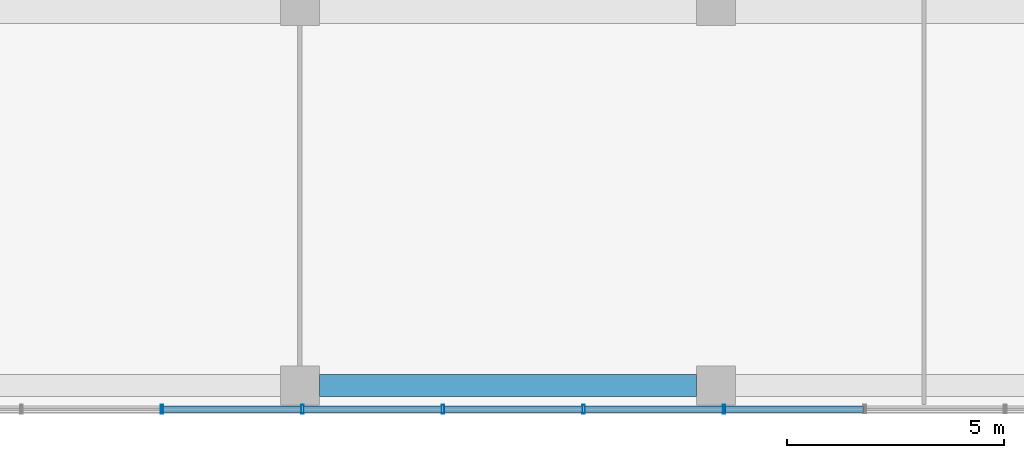
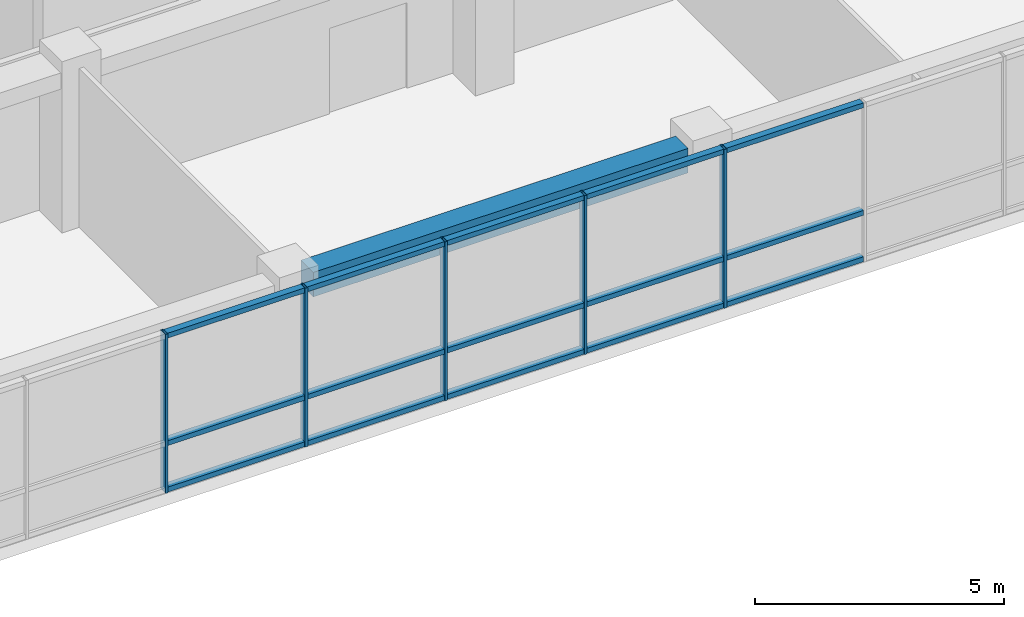
# One storey, part 4 of 38: 20 members, 1 beam, 1 element without a shape of its own.
"""IFC4 building model written with IfcOpenShell, lengths in metres."""

import ifcopenshell
import ifcopenshell.guid

model = None  # the IFC model being written
_history = None  # IfcOwnerHistory: only IFC2X3 demands one
_inside = {}  # id of a spatial element -> (the spatial element, [elements in it])
_under = {}  # id of a project, library or spatial element -> (it, [spatial elements below it])
_declared = {}  # id of a project -> (the project, [libraries it declares])
_typed = {}  # id of a type object -> (the type object, [elements of that type])
_made_of = {}  # id of a material, layer set ... -> (it, [elements and type objects made of it])


def new_model(schema):
    """Start an empty IFC model of exactly this schema.

    Asked for "IFC4X3", IfcOpenShell would pick the latest addendum, in which some entities
    have other attributes; the version numbers below select the first issue.
    IFC2X3 requires an IfcOwnerHistory on every rooted entity: one is made here for all.
    """
    global model, _history
    if schema == "IFC4X3":
        model = ifcopenshell.file(schema_version=(4, 3, 0, 0))
    else:
        model = ifcopenshell.file(schema=schema)
    _inside.clear()
    _under.clear()
    _declared.clear()
    _typed.clear()
    _made_of.clear()
    _history = None
    if model.schema == "IFC2X3":
        org = make("IfcOrganization", Name="unknown")
        user = make(
            "IfcPersonAndOrganization",
            ThePerson=make("IfcPerson", FamilyName="unknown"),
            TheOrganization=org,
        )
        app = make(
            "IfcApplication",
            ApplicationDeveloper=org,
            Version="unknown",
            ApplicationFullName="unknown",
            ApplicationIdentifier="unknown",
        )
        _history = make(
            "IfcOwnerHistory",
            OwningUser=user,
            OwningApplication=app,
            ChangeAction="ADDED",
            CreationDate=0,
        )
    return model


def make(cls, **values):
    """One entity of the class cls with the attributes given. An attribute that is None is left unset."""
    return model.create_entity(
        cls, **{name: value for name, value in values.items() if value is not None}
    )


def rooted(cls, **values):
    """An entity with a GlobalId (a new one), such as an element, a storey or a relation."""
    return make(cls, GlobalId=ifcopenshell.guid.new(), OwnerHistory=_history, **values)


def si_unit(unit_type, name, prefix=None):
    """IfcSIUnit, for example si_unit("LENGTHUNIT", "METRE", prefix="MILLI")."""
    return make("IfcSIUnit", UnitType=unit_type, Prefix=prefix, Name=name)


def assignment(units):
    """IfcUnitAssignment: the units of a project."""
    return None if units is None else make("IfcUnitAssignment", Units=units)


def point(xyz):
    """IfcCartesianPoint."""
    return None if xyz is None else make("IfcCartesianPoint", Coordinates=xyz)


def direction(xyz):
    """IfcDirection."""
    return None if xyz is None else make("IfcDirection", DirectionRatios=xyz)


def frame(location, z_axis=None, x_axis=None):
    """IfcAxis2Placement3D, a coordinate frame: its origin and axes. An axis left out is left unset."""
    return make(
        "IfcAxis2Placement3D",
        Location=point(location),
        Axis=direction(z_axis),
        RefDirection=direction(x_axis),
    )


def frame_2d(location, x_axis=None):
    """IfcAxis2Placement2D, a coordinate frame in the plane: its origin and x axis."""
    return make(
        "IfcAxis2Placement2D", Location=point(location), RefDirection=direction(x_axis)
    )


def origin():
    """The frame at (0, 0, 0) with its axes left unset."""
    return frame((0.0, 0.0, 0.0))


def origin_2d():
    """The frame at (0, 0) in the plane with its x axis left unset."""
    return frame_2d((0.0, 0.0))


def place(relative_to, where):
    """IfcLocalPlacement: puts the frame where relative to a parent placement (None: the world)."""
    return make(
        "IfcLocalPlacement", PlacementRelTo=relative_to, RelativePlacement=where
    )


def context(
    kind, dimensions, precision=None, world=None, true_north=None, identifier=None
):
    """IfcGeometricRepresentationContext, for example the 3D "Model" context."""
    return make(
        "IfcGeometricRepresentationContext",
        ContextIdentifier=identifier,
        ContextType=kind,
        CoordinateSpaceDimension=dimensions,
        Precision=precision,
        WorldCoordinateSystem=world,
        TrueNorth=true_north,
    )


def subcontext(parent, identifier, kind, view, scale=None):
    """IfcGeometricRepresentationSubContext, for example "Body" below "Model"."""
    return make(
        "IfcGeometricRepresentationSubContext",
        ContextIdentifier=identifier,
        ContextType=kind,
        ParentContext=parent,
        TargetScale=scale,
        TargetView=view,
    )


def project(units=None, contexts=None):
    """IfcProject with its units and contexts."""
    return rooted(
        "IfcProject",
        Name="project",
        RepresentationContexts=contexts,
        UnitsInContext=assignment(units),
    )


def spatial(cls, under=None, at=None, **own):
    """A site, building, storey or space (cls), placed at a placement, below another one or the project."""
    s = rooted(cls, ObjectPlacement=at, **own)
    if under is not None:
        _under.setdefault(under.id(), (under, []))[1].append(s)
    return s


def profile(cls, at=None, kind="AREA", **sizes):
    """A parametric profile (cls). Its sizes go by their IFC names, for example OverallWidth=200.0."""
    return make(cls, ProfileType=kind, Position=at, **sizes)


def rectangle(**sizes):
    """IfcRectangleProfileDef."""
    return profile("IfcRectangleProfileDef", **sizes)


def hollow_rectangle(**sizes):
    """IfcRectangleHollowProfileDef."""
    return profile("IfcRectangleHollowProfileDef", **sizes)


def extrude(swept, where, along, depth):
    """IfcExtrudedAreaSolid: the profile swept, set in the frame where, extruded along a direction by depth."""
    return make(
        "IfcExtrudedAreaSolid",
        SweptArea=swept,
        Position=where,
        ExtrudedDirection=direction(along),
        Depth=depth,
    )


def shape(context_of_items, identifier, shape_type, items):
    """IfcShapeRepresentation: the items that make up one representation, for example the "Body"."""
    return make(
        "IfcShapeRepresentation",
        ContextOfItems=context_of_items,
        RepresentationIdentifier=identifier,
        RepresentationType=shape_type,
        Items=items,
    )


def material(Name=None, Category=None):
    """IfcMaterial."""
    return make("IfcMaterial", Name=Name, Category=Category)


def layer(
    of_material, thickness, ventilated=None, Name=None, Category=None, Priority=None
):
    """IfcMaterialLayer: one layer of a wall or slab, of a material (None: an air gap)."""
    return make(
        "IfcMaterialLayer",
        Material=of_material,
        LayerThickness=thickness,
        IsVentilated=ventilated,
        Name=Name,
        Category=Category,
        Priority=Priority,
    )


def layer_set(layers, Name=None):
    """IfcMaterialLayerSet."""
    return make("IfcMaterialLayerSet", MaterialLayers=layers, LayerSetName=Name)


def material_profile(
    of_material, cross_section, Name=None, Category=None, Priority=None
):
    """IfcMaterialProfile: a cross section and its material."""
    return make(
        "IfcMaterialProfile",
        Name=Name,
        Material=of_material,
        Profile=cross_section,
        Priority=Priority,
        Category=Category,
    )


def profile_set(profiles, Name=None, composite=None):
    """IfcMaterialProfileSet."""
    return make(
        "IfcMaterialProfileSet",
        Name=Name,
        MaterialProfiles=profiles,
        CompositeProfile=composite,
    )


def made_of(thing, what):
    """Note that an element or type object is made of a material, layer set ...; save() writes the relation."""
    if what is not None:
        _made_of.setdefault(what.id(), (what, []))[1].append(thing)
    return thing


def type_object(cls, material=None, **own):
    """A type object (cls), such as IfcWallType, which elements share."""
    return made_of(rooted(cls, **own), material)


def element(
    cls,
    number,
    at=None,
    inside=None,
    cuts=None,
    type_object=None,
    material=None,
    context=None,
    identifier="Body",
    shape_type=None,
    held_by="IfcProductDefinitionShape",
    body=None,
    shapes=None,
    **own,
):
    """One element of the class cls, such as IfcWall. Its Tag is "e" and its number.

    at: its placement. inside: the storey or other place that contains it. cuts: it is an
    opening in that element (IfcRelVoidsElement). A single representation is given by context,
    identifier, shape_type and body (its items); several are given by shapes. held_by: the class
    of the entity that holds the representations. save() writes the other relations.
    """
    e = rooted(cls, Tag="e%d" % number, ObjectPlacement=at, **own)
    if body is not None:
        shapes = [shape(context, identifier, shape_type, body)]
    if shapes is not None:
        e.Representation = make(held_by, Representations=shapes)
    if inside is not None:
        _inside.setdefault(inside.id(), (inside, []))[1].append(e)
    if cuts is not None:
        rooted(
            "IfcRelVoidsElement", RelatingBuildingElement=cuts, RelatedOpeningElement=e
        )
    if type_object is not None:
        _typed.setdefault(type_object.id(), (type_object, []))[1].append(e)
    return made_of(e, material)


def aggregate(whole, parts):
    """IfcRelAggregates: a whole, such as a stair, and the parts it consists of."""
    return rooted("IfcRelAggregates", RelatingObject=whole, RelatedObjects=parts)


def save(model, path):
    """Write the relations noted so far, then the file.

    IfcRelAggregates (storeys below a building ...), IfcRelContainedInSpatialStructure (elements
    in a storey), IfcRelDefinesByType, IfcRelAssociatesMaterial and IfcRelDeclares: one each for
    every whole, place, type object, material and project.
    """
    for whole, parts in _under.values():
        aggregate(whole, parts)
    for where, things in _inside.values():
        rooted(
            "IfcRelContainedInSpatialStructure",
            RelatedElements=things,
            RelatingStructure=where,
        )
    for kind, things in _typed.values():
        rooted("IfcRelDefinesByType", RelatedObjects=things, RelatingType=kind)
    for what, things in _made_of.values():
        rooted("IfcRelAssociatesMaterial", RelatedObjects=things, RelatingMaterial=what)
    for by, libraries in _declared.values():
        rooted("IfcRelDeclares", RelatingContext=by, RelatedDefinitions=libraries)
    model.write(path)


model = new_model("IFC4")

# Units and contexts
model_context = context("Model", 3, precision=1e-05, world=origin(), true_north=direction((0.0, 1.0)))
body_context = subcontext(model_context, "Body", "Model", "MODEL_VIEW")
ifc_project = project(units=[si_unit("LENGTHUNIT", "METRE"), si_unit("AREAUNIT", "SQUARE_METRE"), si_unit("VOLUMEUNIT", "CUBIC_METRE"), si_unit("PLANEANGLEUNIT", "RADIAN"), si_unit("MASSUNIT", "GRAM", prefix="KILO")], contexts=[model_context])

# Site, building, storey
site_placement = place(None, origin())
site = spatial("IfcSite", under=ifc_project, at=site_placement, CompositionType="ELEMENT")
building_placement = place(site_placement, origin())
building = spatial("IfcBuilding", under=site, at=building_placement, Name="Nzadi Deep Aquarium and Research Tower", CompositionType="ELEMENT")
storey_placement = place(building_placement, frame((0.0, 0.0, 65.5)))
storey = spatial("IfcBuildingStorey", under=building, at=storey_placement, Name="L13", CompositionType="ELEMENT", Elevation=65.5)

# Curtain wall, members
ifc_material_1 = material(Name="Aluminium unitised frame", Category="aluminium")
ifc_layer = layer(ifc_material_1, 0.199951171875)
ifc_layer_set = layer_set([ifc_layer], Name="Aluminium unitised frame")
curtain_wall_type = type_object("IfcCurtainWallType", Name="Curtain wall Unitised 200", PredefinedType="NOTDEFINED", material=ifc_layer_set)
curtain_wall_placement = place(storey_placement, origin())
curtain_wall = element("IfcCurtainWall", 1, at=curtain_wall_placement, inside=storey, type_object=curtain_wall_type, Name="Unitised curtain wall blade A south L13", PredefinedType="NOTDEFINED")
ifc_material_2 = material(Name="Aluminium unitised frame", Category="aluminium")
ifc_material_profile_1 = material_profile(ifc_material_2, hollow_rectangle(XDim=0.199951171875, YDim=0.06005859375, WallThickness=0.0048828125, at=origin_2d()))
ifc_profile_set_1 = profile_set([ifc_material_profile_1], Name="Aluminium unitised frame")
member_type_1 = type_object("IfcMemberType", Name="Mullion 60x200 Unitised", PredefinedType="MULLION", material=ifc_profile_set_1)
member_1_placement = place(storey_placement, frame((16.0166015625, -0.10009765625, 0.0), z_axis=(0.0, 0.0, 1.0), x_axis=(0.0, 1.0, 0.0)))
member_1 = element("IfcMember", 2, at=member_1_placement, type_object=member_type_1, Name="CW057 mullion 6", PredefinedType="MULLION", context=body_context, shape_type="SweptSolid", body=[
    extrude(hollow_rectangle(XDim=0.199951171875, YDim=0.06005859375, WallThickness=0.0048828125, at=origin_2d()), origin(), (0.0, 0.0, 1.0), 3.89990234375),
])
member_2_placement = place(storey_placement, frame((19.260009765625, -0.10009765625, 0.0), z_axis=(0.0, 0.0, 1.0), x_axis=(0.0, 1.0, 0.0)))
member_2 = element("IfcMember", 3, at=member_2_placement, type_object=member_type_1, Name="CW057 mullion 7", PredefinedType="MULLION", context=body_context, shape_type="SweptSolid", body=[
    extrude(hollow_rectangle(XDim=0.199951171875, YDim=0.06005859375, WallThickness=0.0048828125, at=origin_2d()), origin(), (0.0, 0.0, 1.0), 3.89990234375),
])
member_3_placement = place(storey_placement, frame((22.50341796875, -0.10009765625, 0.0), z_axis=(0.0, 0.0, 1.0), x_axis=(0.0, 1.0, 0.0)))
member_3 = element("IfcMember", 4, at=member_3_placement, type_object=member_type_1, Name="CW057 mullion 8", PredefinedType="MULLION", context=body_context, shape_type="SweptSolid", body=[
    extrude(hollow_rectangle(XDim=0.199951171875, YDim=0.06005859375, WallThickness=0.0048828125, at=origin_2d()), origin(), (0.0, 0.0, 1.0), 3.89990234375),
])
member_4_placement = place(storey_placement, frame((25.74658203125, -0.10009765625, 0.0), z_axis=(0.0, 0.0, 1.0), x_axis=(0.0, 1.0, 0.0)))
member_4 = element("IfcMember", 5, at=member_4_placement, type_object=member_type_1, Name="CW057 mullion 9", PredefinedType="MULLION", context=body_context, shape_type="SweptSolid", body=[
    extrude(hollow_rectangle(XDim=0.199951171875, YDim=0.06005859375, WallThickness=0.0048828125, at=origin_2d()), origin(), (0.0, 0.0, 1.0), 3.89990234375),
])
member_5_placement = place(storey_placement, frame((28.989990234375, -0.10009765625, 0.0), z_axis=(0.0, 0.0, 1.0), x_axis=(0.0, 1.0, 0.0)))
member_5 = element("IfcMember", 6, at=member_5_placement, type_object=member_type_1, Name="CW057 mullion 10", PredefinedType="MULLION", context=body_context, shape_type="SweptSolid", body=[
    extrude(hollow_rectangle(XDim=0.199951171875, YDim=0.06005859375, WallThickness=0.0048828125, at=origin_2d()), origin(), (0.0, 0.0, 1.0), 3.89990234375),
])

# Beam
ifc_material_3 = material(Name="Concrete C35/45", Category="concrete")
ifc_material_profile_2 = material_profile(ifc_material_3, rectangle(XDim=0.5, YDim=0.60009765625, at=origin_2d()))
ifc_profile_set_2 = profile_set([ifc_material_profile_2], Name="Concrete C35/45")
beam_type = type_object("IfcBeamType", Name="RC 500x600", PredefinedType="BEAM", material=ifc_profile_set_2)
beam_placement = place(storey_placement, frame((19.64990234375, 0.449951171875, 3.60009765625), z_axis=(1.0, 0.0, 0.0), x_axis=(0.0, 1.0, 0.0)))
element("IfcBeam", 7, at=beam_placement, inside=storey, type_object=beam_type, Name="B-Z1-L13-L1-3", PredefinedType="BEAM", context=body_context, shape_type="SweptSolid", body=[
    extrude(rectangle(XDim=0.5, YDim=0.60009765625, at=origin_2d()), origin(), (0.0, 0.0, 1.0), 8.7001953125),
])

# Member
ifc_material_4 = material(Name="Aluminium unitised frame", Category="aluminium")
ifc_material_profile_3 = material_profile(ifc_material_4, hollow_rectangle(XDim=0.159912109375, YDim=0.1201171875, WallThickness=0.0048828125, at=origin_2d()))
ifc_profile_set_3 = profile_set([ifc_material_profile_3], Name="Aluminium unitised frame")
member_type_2 = type_object("IfcMemberType", Name="Transom 120x160 Unitised", PredefinedType="MULLION", material=ifc_profile_set_3)
member_6_placement = place(storey_placement, frame((16.046630859375, -0.10009765625, 0.06005859375), z_axis=(1.0, 0.0, 0.0), x_axis=(0.0, 1.0, 0.0)))
member_6 = element("IfcMember", 8, at=member_6_placement, type_object=member_type_2, Name="CW057 transom 6.1", PredefinedType="MULLION", context=body_context, shape_type="SweptSolid", body=[
    extrude(hollow_rectangle(XDim=0.159912109375, YDim=0.1201171875, WallThickness=0.0048828125, at=origin_2d()), origin(), (0.0, 0.0, 1.0), 3.183349609375),
])

member_7_placement = place(storey_placement, frame((16.046630859375, -0.10009765625, 1.199951171875), z_axis=(1.0, 0.0, 0.0), x_axis=(0.0, 1.0, 0.0)))
member_7 = element("IfcMember", 9, at=member_7_placement, type_object=member_type_2, Name="CW057 transom 6.2", PredefinedType="MULLION", context=body_context, shape_type="SweptSolid", body=[
    extrude(hollow_rectangle(XDim=0.159912109375, YDim=0.1201171875, WallThickness=0.0048828125, at=origin_2d()), origin(), (0.0, 0.0, 1.0), 3.183349609375),
])

member_8_placement = place(storey_placement, frame((16.046630859375, -0.10009765625, 3.840087890625), z_axis=(1.0, 0.0, 0.0), x_axis=(0.0, 1.0, 0.0)))
member_8 = element("IfcMember", 10, at=member_8_placement, type_object=member_type_2, Name="CW057 transom 6.3", PredefinedType="MULLION", context=body_context, shape_type="SweptSolid", body=[
    extrude(hollow_rectangle(XDim=0.159912109375, YDim=0.1201171875, WallThickness=0.0048828125, at=origin_2d()), origin(), (0.0, 0.0, 1.0), 3.183349609375),
])

member_9_placement = place(storey_placement, frame((19.2900390625, -0.10009765625, 0.06005859375), z_axis=(1.0, 0.0, 0.0), x_axis=(0.0, 1.0, 0.0)))
member_9 = element("IfcMember", 11, at=member_9_placement, type_object=member_type_2, Name="CW057 transom 7.1", PredefinedType="MULLION", context=body_context, shape_type="SweptSolid", body=[
    extrude(hollow_rectangle(XDim=0.159912109375, YDim=0.1201171875, WallThickness=0.0048828125, at=origin_2d()), origin(), (0.0, 0.0, 1.0), 3.183349609375),
])

member_10_placement = place(storey_placement, frame((19.2900390625, -0.10009765625, 1.199951171875), z_axis=(1.0, 0.0, 0.0), x_axis=(0.0, 1.0, 0.0)))
member_10 = element("IfcMember", 12, at=member_10_placement, type_object=member_type_2, Name="CW057 transom 7.2", PredefinedType="MULLION", context=body_context, shape_type="SweptSolid", body=[
    extrude(hollow_rectangle(XDim=0.159912109375, YDim=0.1201171875, WallThickness=0.0048828125, at=origin_2d()), origin(), (0.0, 0.0, 1.0), 3.183349609375),
])

member_11_placement = place(storey_placement, frame((19.2900390625, -0.10009765625, 3.840087890625), z_axis=(1.0, 0.0, 0.0), x_axis=(0.0, 1.0, 0.0)))
member_11 = element("IfcMember", 13, at=member_11_placement, type_object=member_type_2, Name="CW057 transom 7.3", PredefinedType="MULLION", context=body_context, shape_type="SweptSolid", body=[
    extrude(hollow_rectangle(XDim=0.159912109375, YDim=0.1201171875, WallThickness=0.0048828125, at=origin_2d()), origin(), (0.0, 0.0, 1.0), 3.183349609375),
])

member_12_placement = place(storey_placement, frame((22.533447265625, -0.10009765625, 0.06005859375), z_axis=(1.0, 0.0, 0.0), x_axis=(0.0, 1.0, 0.0)))
member_12 = element("IfcMember", 14, at=member_12_placement, type_object=member_type_2, Name="CW057 transom 8.1", PredefinedType="MULLION", context=body_context, shape_type="SweptSolid", body=[
    extrude(hollow_rectangle(XDim=0.159912109375, YDim=0.1201171875, WallThickness=0.0048828125, at=origin_2d()), origin(), (0.0, 0.0, 1.0), 3.18310546875),
])

member_13_placement = place(storey_placement, frame((22.533447265625, -0.10009765625, 1.199951171875), z_axis=(1.0, 0.0, 0.0), x_axis=(0.0, 1.0, 0.0)))
member_13 = element("IfcMember", 15, at=member_13_placement, type_object=member_type_2, Name="CW057 transom 8.2", PredefinedType="MULLION", context=body_context, shape_type="SweptSolid", body=[
    extrude(hollow_rectangle(XDim=0.159912109375, YDim=0.1201171875, WallThickness=0.0048828125, at=origin_2d()), origin(), (0.0, 0.0, 1.0), 3.18310546875),
])

member_14_placement = place(storey_placement, frame((22.533447265625, -0.10009765625, 3.840087890625), z_axis=(1.0, 0.0, 0.0), x_axis=(0.0, 1.0, 0.0)))
member_14 = element("IfcMember", 16, at=member_14_placement, type_object=member_type_2, Name="CW057 transom 8.3", PredefinedType="MULLION", context=body_context, shape_type="SweptSolid", body=[
    extrude(hollow_rectangle(XDim=0.159912109375, YDim=0.1201171875, WallThickness=0.0048828125, at=origin_2d()), origin(), (0.0, 0.0, 1.0), 3.18310546875),
])

member_15_placement = place(storey_placement, frame((25.776611328125, -0.10009765625, 0.06005859375), z_axis=(1.0, 0.0, 0.0), x_axis=(0.0, 1.0, 0.0)))
member_15 = element("IfcMember", 17, at=member_15_placement, type_object=member_type_2, Name="CW057 transom 9.1", PredefinedType="MULLION", context=body_context, shape_type="SweptSolid", body=[
    extrude(hollow_rectangle(XDim=0.159912109375, YDim=0.1201171875, WallThickness=0.0048828125, at=origin_2d()), origin(), (0.0, 0.0, 1.0), 3.183349609375),
])

member_16_placement = place(storey_placement, frame((25.776611328125, -0.10009765625, 1.199951171875), z_axis=(1.0, 0.0, 0.0), x_axis=(0.0, 1.0, 0.0)))
member_16 = element("IfcMember", 18, at=member_16_placement, type_object=member_type_2, Name="CW057 transom 9.2", PredefinedType="MULLION", context=body_context, shape_type="SweptSolid", body=[
    extrude(hollow_rectangle(XDim=0.159912109375, YDim=0.1201171875, WallThickness=0.0048828125, at=origin_2d()), origin(), (0.0, 0.0, 1.0), 3.183349609375),
])

member_17_placement = place(storey_placement, frame((25.776611328125, -0.10009765625, 3.840087890625), z_axis=(1.0, 0.0, 0.0), x_axis=(0.0, 1.0, 0.0)))
member_17 = element("IfcMember", 19, at=member_17_placement, type_object=member_type_2, Name="CW057 transom 9.3", PredefinedType="MULLION", context=body_context, shape_type="SweptSolid", body=[
    extrude(hollow_rectangle(XDim=0.159912109375, YDim=0.1201171875, WallThickness=0.0048828125, at=origin_2d()), origin(), (0.0, 0.0, 1.0), 3.183349609375),
])

member_18_placement = place(storey_placement, frame((29.02001953125, -0.10009765625, 0.06005859375), z_axis=(1.0, 0.0, 0.0), x_axis=(0.0, 1.0, 0.0)))
member_18 = element("IfcMember", 20, at=member_18_placement, type_object=member_type_2, Name="CW057 transom 10.1", PredefinedType="MULLION", context=body_context, shape_type="SweptSolid", body=[
    extrude(hollow_rectangle(XDim=0.159912109375, YDim=0.1201171875, WallThickness=0.0048828125, at=origin_2d()), origin(), (0.0, 0.0, 1.0), 3.183349609375),
])

member_19_placement = place(storey_placement, frame((29.02001953125, -0.10009765625, 1.199951171875), z_axis=(1.0, 0.0, 0.0), x_axis=(0.0, 1.0, 0.0)))
member_19 = element("IfcMember", 21, at=member_19_placement, type_object=member_type_2, Name="CW057 transom 10.2", PredefinedType="MULLION", context=body_context, shape_type="SweptSolid", body=[
    extrude(hollow_rectangle(XDim=0.159912109375, YDim=0.1201171875, WallThickness=0.0048828125, at=origin_2d()), origin(), (0.0, 0.0, 1.0), 3.183349609375),
])

member_20_placement = place(storey_placement, frame((29.02001953125, -0.10009765625, 3.840087890625), z_axis=(1.0, 0.0, 0.0), x_axis=(0.0, 1.0, 0.0)))
member_20 = element("IfcMember", 22, at=member_20_placement, type_object=member_type_2, Name="CW057 transom 10.3", PredefinedType="MULLION", context=body_context, shape_type="SweptSolid", body=[
    extrude(hollow_rectangle(XDim=0.159912109375, YDim=0.1201171875, WallThickness=0.0048828125, at=origin_2d()), origin(), (0.0, 0.0, 1.0), 3.183349609375),
])

aggregate(curtain_wall, [member_1, member_2, member_3, member_4, member_5, member_6, member_7, member_8, member_9, member_10, member_11, member_12, member_13, member_14, member_15, member_16, member_17, member_18, member_19, member_20])

save(model, "model.ifc")
